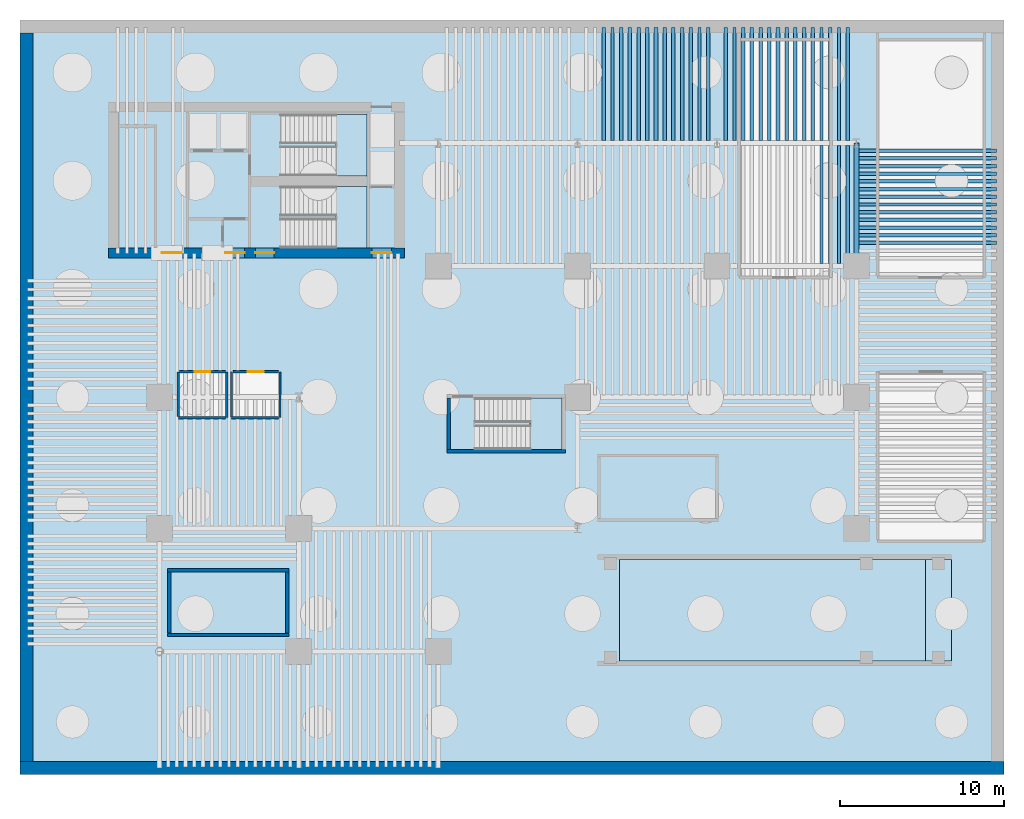
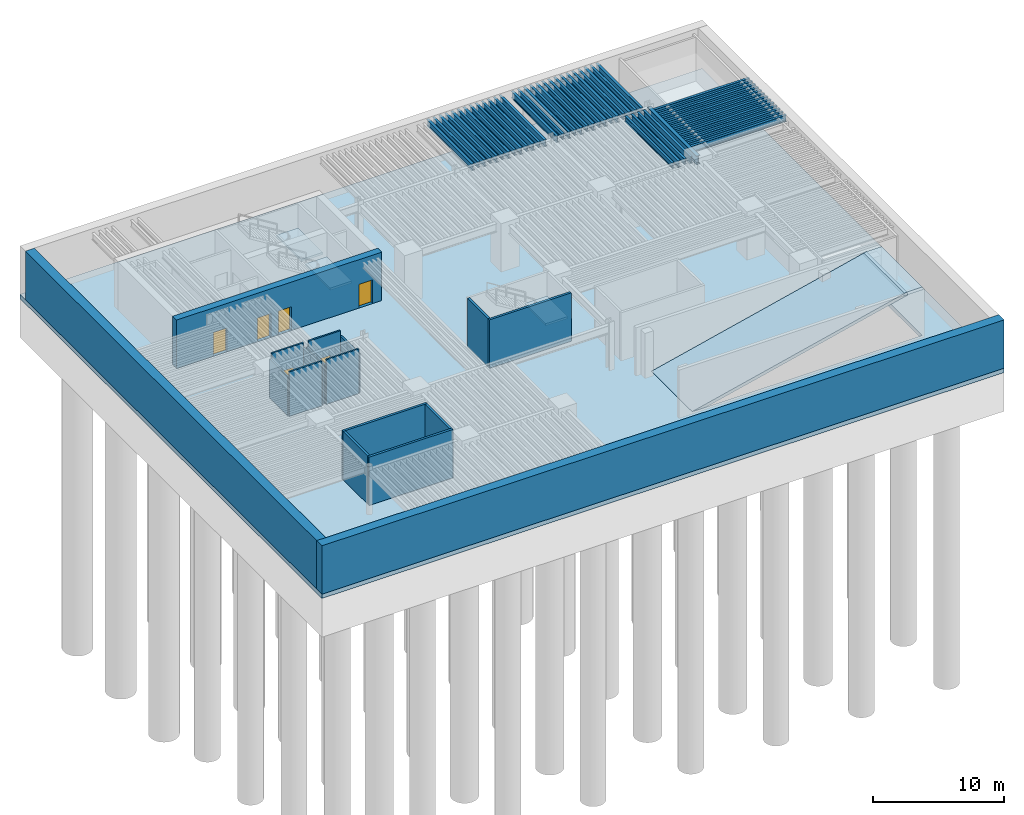
# One storey, part 4 of 11: 46 beams, 17 walls, 6 doors, 6 slabs, 6 openings, 3 elements without a shape of their own.
"""IFC4 building model written with IfcOpenShell, lengths in metres."""

from ifc_helpers import new_model, si_unit, direction, frame, frame_2d, origin, origin_2d, place, context, subcontext, project, spatial, polyline, rectangle, i_section, outline, extrude, material, layer, layer_set, material_profile, profile_set, type_object, element, fill, aggregate, save


model = new_model("IFC4")

# Units and contexts
model_context = context("Model", 3, precision=1e-05, world=origin(), true_north=direction((0.0, 1.0)))
body_context = subcontext(model_context, "Body", "Model", "MODEL_VIEW")
ifc_project = project(units=[si_unit("LENGTHUNIT", "METRE"), si_unit("AREAUNIT", "SQUARE_METRE"), si_unit("VOLUMEUNIT", "CUBIC_METRE"), si_unit("PLANEANGLEUNIT", "RADIAN"), si_unit("MASSUNIT", "GRAM", prefix="KILO")], contexts=[model_context])

# Site, building, storey
site_placement = place(None, origin())
site = spatial("IfcSite", under=ifc_project, at=site_placement, CompositionType="ELEMENT")
building_placement = place(site_placement, origin())
building = spatial("IfcBuilding", under=site, at=building_placement, Name="Caeloran Harvest Quay", CompositionType="ELEMENT")
storey_placement = place(building_placement, frame((0.0, 0.0, -18.0)))
storey = spatial("IfcBuildingStorey", under=building, at=storey_placement, Name="B04", CompositionType="ELEMENT", Elevation=-18.0)

# Beams
ifc_material_1 = material(Name="Steel S355J2", Category="steel")
ifc_material_profile_1 = material_profile(ifc_material_1, i_section(OverallWidth=0.300048828125, OverallDepth=0.800048828125, WebThickness=0.017578125, FlangeThickness=0.032958984375, FilletRadius=0.030029296875, at=origin_2d()), Name="HE 800 B")
ifc_profile_set_1 = profile_set([ifc_material_profile_1], Name="Steel S355J2")
beam_type_1 = type_object("IfcBeamType", Name="BM-PG-1-HE_800_B", PredefinedType="BEAM", material=ifc_profile_set_1)
beam_placement = place(storey_placement, frame((51.0, 31.0, 3.735107421875), z_axis=(0.0, 1.0, 0.0), x_axis=(-1.0, 0.0, 0.0)))
element("IfcBeam", 1, at=beam_placement, inside=storey, type_object=beam_type_1, Name="B04 Primary North-South Girder X=51.0", PredefinedType="BEAM", context=body_context, shape_type="SweptSolid", body=[
    extrude(i_section(OverallWidth=0.300048828125, OverallDepth=0.800048828125, WebThickness=0.017578125, FlangeThickness=0.032958984375, FilletRadius=0.030029296875, at=origin_2d()), origin(), (0.0, 0.0, 1.0), 7.5),
])
ifc_material_profile_2 = material_profile(ifc_material_1, i_section(OverallWidth=0.219970703125, OverallDepth=0.60009765625, WebThickness=0.011962890625, FlangeThickness=0.01904296875, FilletRadius=0.02392578125, at=origin_2d()), Name="IPE 600")
ifc_profile_set_2 = profile_set([ifc_material_profile_2], Name="Steel S355J2")
beam_type_2 = type_object("IfcBeamType", Name="BM-SB-1-IPE_600", PredefinedType="JOIST", material=ifc_profile_set_2)
for number, where, z_axis, x_axis, name in (
    (2, (35.59375, 38.64501953125, 3.8349609375), (0.0, 1.0, 0.0), (-1.0, 0.0, 0.0), "B04 Secondary Composite Joist"),
    (3, (36.65625, 38.64501953125, 3.8349609375), (0.0, 1.0, 0.0), (-1.0, 0.0, 0.0), "B04 Secondary Composite Joist"),
    (4, (37.71875, 38.64501953125, 3.8349609375), (0.0, 1.0, 0.0), (-1.0, 0.0, 0.0), "B04 Secondary Composite Joist"),
    (5, (38.78125, 38.64501953125, 3.8349609375), (0.0, 1.0, 0.0), (-1.0, 0.0, 0.0), "B04 Secondary Composite Joist"),
    (6, (39.84375, 38.64501953125, 3.8349609375), (0.0, 1.0, 0.0), (-1.0, 0.0, 0.0), "B04 Secondary Composite Joist"),
    (7, (40.90625, 38.64501953125, 3.8349609375), (0.0, 1.0, 0.0), (-1.0, 0.0, 0.0), "B04 Secondary Composite Joist"),
    (8, (41.96875, 38.64501953125, 3.8349609375), (0.0, 1.0, 0.0), (-1.0, 0.0, 0.0), "B04 Secondary Composite Joist"),
    (9, (43.03125, 38.64501953125, 3.8349609375), (0.0, 1.0, 0.0), (-1.0, 0.0, 0.0), "B04 Secondary Composite Joist"),
    (10, (44.09375, 38.64501953125, 3.8349609375), (0.0, 1.0, 0.0), (-1.0, 0.0, 0.0), "B04 Secondary Composite Joist"),
    (11, (45.15625, 38.64501953125, 3.8349609375), (0.0, 1.0, 0.0), (-1.0, 0.0, 0.0), "B04 Secondary Composite Joist"),
    (12, (46.21875, 38.64501953125, 3.8349609375), (0.0, 1.0, 0.0), (-1.0, 0.0, 0.0), "B04 Secondary Composite Joist"),
    (13, (47.28125, 38.64501953125, 3.8349609375), (0.0, 1.0, 0.0), (-1.0, 0.0, 0.0), "B04 Secondary Composite Joist"),
    (14, (48.34375, 38.64501953125, 3.8349609375), (0.0, 1.0, 0.0), (-1.0, 0.0, 0.0), "B04 Secondary Composite Joist"),
    (15, (49.40625, 38.64501953125, 3.8349609375), (0.0, 1.0, 0.0), (-1.0, 0.0, 0.0), "B04 Secondary Composite Joist"),
    (16, (50.46875, 38.64501953125, 3.8349609375), (0.0, 1.0, 0.0), (-1.0, 0.0, 0.0), "B04 Secondary Composite Joist"),
):
    element("IfcBeam", number, at=place(storey_placement, frame(where, z_axis=z_axis, x_axis=x_axis)), inside=storey, type_object=beam_type_2, Name=name, PredefinedType="JOIST", context=body_context, shape_type="SweptSolid", body=[
        extrude(i_section(OverallWidth=0.219970703125, OverallDepth=0.60009765625, WebThickness=0.011962890625, FlangeThickness=0.01904296875, FilletRadius=0.02392578125, at=origin_2d()), origin(), (0.0, 0.0, 1.0), 6.905029296875),
    ])
for number, where, z_axis, x_axis, name in (
    (17, (49.40625, 31.14501953125, 3.8349609375), (0.0, 1.0, 0.0), (-1.0, 0.0, 0.0), "B04 Secondary Composite Joist"),
    (18, (50.46875, 31.14501953125, 3.8349609375), (0.0, 1.0, 0.0), (-1.0, 0.0, 0.0), "B04 Secondary Composite Joist"),
):
    element("IfcBeam", number, at=place(storey_placement, frame(where, z_axis=z_axis, x_axis=x_axis)), inside=storey, type_object=beam_type_2, Name=name, PredefinedType="JOIST", context=body_context, shape_type="SweptSolid", body=[
        extrude(i_section(OverallWidth=0.219970703125, OverallDepth=0.60009765625, WebThickness=0.011962890625, FlangeThickness=0.01904296875, FilletRadius=0.02392578125, at=origin_2d()), origin(), (0.0, 0.0, 1.0), 7.2099609375),
    ])
for number, where, z_axis, x_axis, name in (
    (19, (51.14501953125, 32.40625, 3.8349609375), (1.0, 0.0, 0.0), (0.0, 1.0, 0.0), "B04 Secondary East-West Composite Joist"),
    (20, (51.14501953125, 33.34375, 3.8349609375), (1.0, 0.0, 0.0), (0.0, 1.0, 0.0), "B04 Secondary East-West Composite Joist"),
    (21, (51.14501953125, 34.28125, 3.8349609375), (1.0, 0.0, 0.0), (0.0, 1.0, 0.0), "B04 Secondary East-West Composite Joist"),
    (22, (51.14501953125, 35.21875, 3.8349609375), (1.0, 0.0, 0.0), (0.0, 1.0, 0.0), "B04 Secondary East-West Composite Joist"),
    (23, (51.14501953125, 36.15625, 3.8349609375), (1.0, 0.0, 0.0), (0.0, 1.0, 0.0), "B04 Secondary East-West Composite Joist"),
    (24, (51.14501953125, 37.09375, 3.8349609375), (1.0, 0.0, 0.0), (0.0, 1.0, 0.0), "B04 Secondary East-West Composite Joist"),
    (25, (51.14501953125, 38.03125, 3.8349609375), (1.0, 0.0, 0.0), (0.0, 1.0, 0.0), "B04 Secondary East-West Composite Joist"),
):
    element("IfcBeam", number, at=place(storey_placement, frame(where, z_axis=z_axis, x_axis=x_axis)), inside=storey, type_object=beam_type_2, Name=name, PredefinedType="JOIST", context=body_context, shape_type="SweptSolid", body=[
        extrude(i_section(OverallWidth=0.219970703125, OverallDepth=0.60009765625, WebThickness=0.011962890625, FlangeThickness=0.01904296875, FilletRadius=0.02392578125, at=origin_2d()), origin(), (0.0, 0.0, 1.0), 8.405029296875),
    ])
ifc_material_profile_3 = material_profile(ifc_material_1, i_section(OverallWidth=0.199951171875, OverallDepth=0.5, WebThickness=0.01025390625, FlangeThickness=0.01611328125, FilletRadius=0.02099609375, at=origin_2d()), Name="IPE 500")
ifc_profile_set_3 = profile_set([ifc_material_profile_3], Name="Steel S355J2")
beam_type_3 = type_object("IfcBeamType", Name="BM-SB-2-IPE_500", PredefinedType="JOIST", material=ifc_profile_set_3)
for number, where, z_axis, x_axis, name in (
    (26, (36.125, 38.64501953125, 3.885009765625), (0.0, 1.0, 0.0), (-1.0, 0.0, 0.0), "B04 Secondary Composite Joist"),
    (27, (37.1875, 38.64501953125, 3.885009765625), (0.0, 1.0, 0.0), (-1.0, 0.0, 0.0), "B04 Secondary Composite Joist"),
    (28, (38.25, 38.64501953125, 3.885009765625), (0.0, 1.0, 0.0), (-1.0, 0.0, 0.0), "B04 Secondary Composite Joist"),
    (29, (39.3125, 38.64501953125, 3.885009765625), (0.0, 1.0, 0.0), (-1.0, 0.0, 0.0), "B04 Secondary Composite Joist"),
    (30, (40.375, 38.64501953125, 3.885009765625), (0.0, 1.0, 0.0), (-1.0, 0.0, 0.0), "B04 Secondary Composite Joist"),
    (31, (41.4375, 38.64501953125, 3.885009765625), (0.0, 1.0, 0.0), (-1.0, 0.0, 0.0), "B04 Secondary Composite Joist"),
    (32, (43.5625, 38.64501953125, 3.885009765625), (0.0, 1.0, 0.0), (-1.0, 0.0, 0.0), "B04 Secondary Composite Joist"),
    (33, (44.625, 38.64501953125, 3.885009765625), (0.0, 1.0, 0.0), (-1.0, 0.0, 0.0), "B04 Secondary Composite Joist"),
    (34, (45.6875, 38.64501953125, 3.885009765625), (0.0, 1.0, 0.0), (-1.0, 0.0, 0.0), "B04 Secondary Composite Joist"),
    (35, (46.75, 38.64501953125, 3.885009765625), (0.0, 1.0, 0.0), (-1.0, 0.0, 0.0), "B04 Secondary Composite Joist"),
    (36, (47.8125, 38.64501953125, 3.885009765625), (0.0, 1.0, 0.0), (-1.0, 0.0, 0.0), "B04 Secondary Composite Joist"),
    (37, (48.875, 38.64501953125, 3.885009765625), (0.0, 1.0, 0.0), (-1.0, 0.0, 0.0), "B04 Secondary Composite Joist"),
    (38, (49.9375, 38.64501953125, 3.885009765625), (0.0, 1.0, 0.0), (-1.0, 0.0, 0.0), "B04 Secondary Composite Joist"),
):
    element("IfcBeam", number, at=place(storey_placement, frame(where, z_axis=z_axis, x_axis=x_axis)), inside=storey, type_object=beam_type_3, Name=name, PredefinedType="JOIST", context=body_context, shape_type="SweptSolid", body=[
        extrude(i_section(OverallWidth=0.199951171875, OverallDepth=0.5, WebThickness=0.01025390625, FlangeThickness=0.01611328125, FilletRadius=0.02099609375, at=origin_2d()), origin(), (0.0, 0.0, 1.0), 6.905029296875),
    ])
for number, where, z_axis, x_axis, name in (
    (39, (48.875, 31.14501953125, 3.885009765625), (0.0, 1.0, 0.0), (-1.0, 0.0, 0.0), "B04 Secondary Composite Joist"),
    (40, (49.9375, 31.14501953125, 3.885009765625), (0.0, 1.0, 0.0), (-1.0, 0.0, 0.0), "B04 Secondary Composite Joist"),
):
    element("IfcBeam", number, at=place(storey_placement, frame(where, z_axis=z_axis, x_axis=x_axis)), inside=storey, type_object=beam_type_3, Name=name, PredefinedType="JOIST", context=body_context, shape_type="SweptSolid", body=[
        extrude(i_section(OverallWidth=0.199951171875, OverallDepth=0.5, WebThickness=0.01025390625, FlangeThickness=0.01611328125, FilletRadius=0.02099609375, at=origin_2d()), origin(), (0.0, 0.0, 1.0), 7.2099609375),
    ])
for number, where, z_axis, x_axis, name in (
    (41, (51.14501953125, 32.875, 3.885009765625), (1.0, 0.0, 0.0), (0.0, 1.0, 0.0), "B04 Secondary East-West Composite Joist"),
    (42, (51.14501953125, 33.8125, 3.885009765625), (1.0, 0.0, 0.0), (0.0, 1.0, 0.0), "B04 Secondary East-West Composite Joist"),
    (43, (51.14501953125, 34.75, 3.885009765625), (1.0, 0.0, 0.0), (0.0, 1.0, 0.0), "B04 Secondary East-West Composite Joist"),
    (44, (51.14501953125, 35.6875, 3.885009765625), (1.0, 0.0, 0.0), (0.0, 1.0, 0.0), "B04 Secondary East-West Composite Joist"),
    (45, (51.14501953125, 36.625, 3.885009765625), (1.0, 0.0, 0.0), (0.0, 1.0, 0.0), "B04 Secondary East-West Composite Joist"),
    (46, (51.14501953125, 37.5625, 3.885009765625), (1.0, 0.0, 0.0), (0.0, 1.0, 0.0), "B04 Secondary East-West Composite Joist"),
):
    element("IfcBeam", number, at=place(storey_placement, frame(where, z_axis=z_axis, x_axis=x_axis)), inside=storey, type_object=beam_type_3, Name=name, PredefinedType="JOIST", context=body_context, shape_type="SweptSolid", body=[
        extrude(i_section(OverallWidth=0.199951171875, OverallDepth=0.5, WebThickness=0.01025390625, FlangeThickness=0.01611328125, FilletRadius=0.02099609375, at=origin_2d()), origin(), (0.0, 0.0, 1.0), 8.405029296875),
    ])

# Slabs
ifc_material_2 = material(Name="Concrete C50/60", Category="concrete")
ifc_layer_1 = layer(ifc_material_2, 0.39990234375, Name="Concrete C50/60")
ifc_layer_set_1 = layer_set([ifc_layer_1], Name="Concrete C50/60")
slab_type_1 = type_object("IfcSlabType", Name="SLAB-BS-400", PredefinedType="BASESLAB", material=ifc_layer_set_1)
slab_1_placement = place(storey_placement, frame((0.0, 0.0, -0.39990234375)))
element("IfcSlab", 47, at=slab_1_placement, inside=storey, type_object=slab_type_1, Name="B04 Structural Floor Slab", PredefinedType="BASESLAB", context=body_context, shape_type="SweptSolid", body=[
    extrude(outline(polyline([(0.0, 0.0), (60.0, 0.0), (60.0, 46.0), (0.0, 46.0), (0.0, 0.0)]), holes=[polyline([(36.550048828125, 6.89990234375), (36.550048828125, 13.10009765625), (56.800048828125, 13.10009765625), (56.800048828125, 6.89990234375), (36.550048828125, 6.89990234375)])]), origin(), (0.0, 0.0, 1.0), 0.39990234375),
])
ifc_layer_2 = layer(ifc_material_2, 0.300048828125, Name="Concrete C50/60")
ifc_layer_set_2 = layer_set([ifc_layer_2], Name="Concrete C50/60")
slab_type_2 = type_object("IfcSlabType", Name="SLAB-RL-300", PredefinedType="LANDING", material=ifc_layer_set_2)
slab_2_placement = place(storey_placement, frame((0.0, 0.0, 4.199951171875)))
element("IfcSlab", 48, at=slab_2_placement, inside=storey, type_object=slab_type_2, Name="Car Park Vehicle Ramp VR-1 Transition Landing Slab B04", PredefinedType="LANDING", context=body_context, shape_type="SweptSolid", body=[
    extrude(outline(polyline([(55.199951171875, 6.89990234375), (56.800048828125, 6.89990234375), (56.800048828125, 13.10009765625), (55.199951171875, 13.10009765625), (55.199951171875, 6.89990234375)])), origin(), (0.0, 0.0, 1.0), 0.300048828125),
])
ifc_layer_3 = layer(ifc_material_2, 0.300048828125, Name="Concrete C50/60")
ifc_layer_set_3 = layer_set([ifc_layer_3], Name="Concrete C50/60")
slab_type_3 = type_object("IfcSlabType", Name="SLAB-VR-300", PredefinedType="FLOOR", material=ifc_layer_set_3)
slab_3_placement = place(storey_placement, frame((36.550048828125, 6.89990234375, 0.0), z_axis=(-0.231621659889, 0.0, 0.972805945022), x_axis=(0.972805945022, 0.0, 0.231621659889)))
element("IfcSlab", 49, at=slab_3_placement, inside=storey, type_object=slab_type_3, Name="Car Park Vehicle Ramp Structural Slab VR-1 (B04)", PredefinedType="FLOOR", context=body_context, shape_type="SweptSolid", body=[
    extrude(outline(polyline([(0.0, 0.0), (19.428234829836875, 0.0), (19.428234829836875, 6.2001953125), (0.0, 6.2001953125), (0.0, 0.0)])), origin(), (0.0, 0.0, -1.0), 0.300048828125),
])

# Stair, slab
stair_type_1 = type_object("IfcStairType", Name="STAIR-STC-180", PredefinedType="HALF_TURN_STAIR", material=ifc_material_2)
stair_1_placement = place(storey_placement, origin())
stair_1 = element("IfcStair", 50, at=stair_1_placement, inside=storey, type_object=stair_type_1, Name="B04 Core Pressurized Exit Stair ST-C1", PredefinedType="HALF_TURN_STAIR")
ifc_layer_4 = layer(ifc_material_2, 0.219970703125, Name="Concrete C50/60")
ifc_layer_set_4 = layer_set([ifc_layer_4], Name="Concrete C50/60")
slab_type_4 = type_object("IfcSlabType", Name="STAIR-LANDING-220", PredefinedType="LANDING", material=ifc_layer_set_4)
slab_4_placement = place(storey_placement, frame((0.0, 0.0, 2.050048828125)))
slab_4 = element("IfcSlab", 51, at=slab_4_placement, type_object=slab_type_4, Name="ST-C1 landing 1", PredefinedType="LANDING", context=body_context, shape_type="SweptSolid", body=[
    extrude(outline(polyline([(19.260009765625, 36.5), (21.14990234375, 36.5), (21.14990234375, 40.25), (19.260009765625, 40.25), (19.260009765625, 36.5)])), origin(), (0.0, 0.0, 1.0), 0.199951171875),
])
aggregate(stair_1, [slab_4])

stair_2_placement = place(storey_placement, origin())
stair_2 = element("IfcStair", 52, at=stair_2_placement, inside=storey, type_object=stair_type_1, Name="B04 Core Pressurized Exit Stair ST-C2", PredefinedType="HALF_TURN_STAIR")
slab_5_placement = place(storey_placement, frame((0.0, 0.0, 2.050048828125)))
slab_5 = element("IfcSlab", 53, at=slab_5_placement, type_object=slab_type_4, Name="ST-C2 landing 1", PredefinedType="LANDING", context=body_context, shape_type="SweptSolid", body=[
    extrude(outline(polyline([(19.260009765625, 32.10009765625), (21.14990234375, 32.10009765625), (21.14990234375, 35.85009765625), (19.260009765625, 35.85009765625), (19.260009765625, 32.10009765625)])), origin(), (0.0, 0.0, 1.0), 0.199951171875),
])
aggregate(stair_2, [slab_5])

stair_type_2 = type_object("IfcStairType", Name="STAIR-STW-150", PredefinedType="HALF_TURN_STAIR", material=ifc_material_2)
stair_3_placement = place(storey_placement, origin())
stair_3 = element("IfcStair", 54, at=stair_3_placement, inside=storey, type_object=stair_type_2, Name="B04 East Wing Protected Exit Stair ST-W1", PredefinedType="HALF_TURN_STAIR")
slab_6_placement = place(storey_placement, frame((0.0, 0.0, 2.050048828125)))
slab_6 = element("IfcSlab", 55, at=slab_6_placement, type_object=slab_type_4, Name="ST-W1 landing 1", PredefinedType="LANDING", context=body_context, shape_type="SweptSolid", body=[
    extrude(outline(polyline([(31.110107421875, 19.800048828125), (33.050048828125, 19.800048828125), (33.050048828125, 22.949951171875), (31.110107421875, 22.949951171875), (31.110107421875, 19.800048828125)])), origin(), (0.0, 0.0, 1.0), 0.199951171875),
])
aggregate(stair_3, [slab_6])

# Walls
ifc_material_3 = material(Name="Moisture-Resistant Cement-Board Sanitary Partition", Category="gypsum")
ifc_layer_5 = layer(ifc_material_3, 0.139892578125, Name="Moisture-Resistant Cement-Board Sanitary Partition")
ifc_layer_set_5 = layer_set([ifc_layer_5], Name="Moisture-Resistant Cement-Board Sanitary Partition")
wall_type_1 = type_object("IfcWallType", Name="INT-WALL-PW-140", PredefinedType="PARTITIONING", material=ifc_layer_set_5)
wall_1_placement = place(storey_placement, frame((12.60009765625, 24.550048828125, 0.0), z_axis=(0.0, 0.0, 1.0), x_axis=(0.0, -1.0, 0.0)))
element("IfcWall", 56, at=wall_1_placement, inside=storey, type_object=wall_type_1, Name="B04 Car Park Male Washroom WC Partition Wall", PredefinedType="PARTITIONING", context=body_context, shape_type="SweptSolid", body=[
    extrude(rectangle(XDim=2.800048828125, YDim=0.139892578125, at=frame_2d((1.39990234375, 0.0))), origin(), (0.0, 0.0, 1.0), 3.6201171875),
])
wall_2_placement = place(storey_placement, frame((12.52490234375, 21.75, 0.0), z_axis=(0.0, 0.0, 1.0), x_axis=(-1.0, 0.0, 0.0)))
element("IfcWall", 57, at=wall_2_placement, inside=storey, type_object=wall_type_1, Name="B04 Car Park Male Washroom WC Partition Wall", PredefinedType="PARTITIONING", context=body_context, shape_type="SweptSolid", body=[
    extrude(rectangle(XDim=2.875, YDim=0.139892578125, at=frame_2d((1.4375, 0.0))), origin(), (0.0, 0.0, 1.0), 4.135009765625),
])
wall_3_placement = place(storey_placement, frame((9.64990234375, 21.824951171875, 0.0), z_axis=(0.0, 0.0, 1.0), x_axis=(0.0, 1.0, 0.0)))
element("IfcWall", 58, at=wall_3_placement, inside=storey, type_object=wall_type_1, Name="B04 Car Park Male Washroom WC Partition Wall", PredefinedType="PARTITIONING", context=body_context, shape_type="SweptSolid", body=[
    extrude(rectangle(XDim=2.72509765625, YDim=0.139892578125, at=frame_2d((1.362548828125, 0.0))), origin(), (0.0, 0.0, 1.0), 3.6201171875),
])

# Wall, opening, door
wall_4_placement = place(storey_placement, frame((9.72509765625, 24.550048828125, 0.0), z_axis=(0.0, 0.0, 1.0), x_axis=(1.0, 0.0, 0.0)))
wall_4 = element("IfcWall", 59, at=wall_4_placement, inside=storey, type_object=wall_type_1, Name="B04 Car Park Male Washroom WC Partition Wall", PredefinedType="PARTITIONING", context=body_context, shape_type="SweptSolid", body=[
    extrude(rectangle(XDim=2.7998046875, YDim=0.139892578125, at=frame_2d((1.39990234375, 0.0))), origin(), (0.0, 0.0, 1.0), 4.135009765625),
])
opening_1_placement = place(wall_4_placement, frame((0.925048828125, 0.0, 0.0)))
opening_1 = element("IfcOpeningElement", 60, at=opening_1_placement, cuts=wall_4, Name="Opening WC-01", PredefinedType="OPENING", context=body_context, shape_type="SweptSolid", body=[
    extrude(rectangle(XDim=0.949951171875, YDim=2.14990234375, at=frame_2d((0.47509765625, 1.074951171875))), frame((0.0, 0.080078125, 0.0), z_axis=(0.0, -1.0, 0.0), x_axis=(1.0, 0.0, 0.0)), (0.0, 0.0, 1.0), 0.159912109375),
])
ifc_material_4 = material(Name="High-Pressure Laminate Moisture-Resistant Timber", Category="wood")
door_type_1 = type_object("IfcDoorType", Name="INTDOOR-WC-01", OperationType="NOTDEFINED", PredefinedType="DOOR", material=ifc_material_4)
door_1_placement = place(opening_1_placement, origin())
door_1 = element("IfcDoor", 61, at=door_1_placement, inside=storey, type_object=door_type_1, Name="B04 Car Park Male Washroom WC Access Door", OperationType="SINGLE_SWING_LEFT", OverallHeight=2.14990234375, OverallWidth=0.949951171875, PredefinedType="DOOR", context=body_context, shape_type="SweptSolid", body=[
    extrude(rectangle(XDim=0.949951171875, YDim=2.14990234375, at=frame_2d((0.47509765625, 1.074951171875))), frame((0.0, 0.02490234375, 0.0), z_axis=(0.0, -1.0, 0.0), x_axis=(1.0, 0.0, 0.0)), (0.0, 0.0, 1.0), 0.050048828125),
])
fill(opening_1, door_1)

# Walls
wall_5_placement = place(storey_placement, frame((15.85009765625, 24.550048828125, 0.0), z_axis=(0.0, 0.0, 1.0), x_axis=(0.0, -1.0, 0.0)))
element("IfcWall", 62, at=wall_5_placement, inside=storey, type_object=wall_type_1, Name="B04 Accessible Unisex Washroom WC Partition Wall", PredefinedType="PARTITIONING", context=body_context, shape_type="SweptSolid", body=[
    extrude(rectangle(XDim=2.800048828125, YDim=0.139892578125, at=frame_2d((1.39990234375, 0.0))), origin(), (0.0, 0.0, 1.0), 3.6201171875),
])
wall_6_placement = place(storey_placement, frame((15.77490234375, 21.75, 0.0), z_axis=(0.0, 0.0, 1.0), x_axis=(-1.0, 0.0, 0.0)))
element("IfcWall", 63, at=wall_6_placement, inside=storey, type_object=wall_type_1, Name="B04 Accessible Unisex Washroom WC Partition Wall", PredefinedType="PARTITIONING", context=body_context, shape_type="SweptSolid", body=[
    extrude(rectangle(XDim=2.875, YDim=0.139892578125, at=frame_2d((1.4375, 0.0))), origin(), (0.0, 0.0, 1.0), 4.135009765625),
])
wall_7_placement = place(storey_placement, frame((12.89990234375, 21.824951171875, 0.0), z_axis=(0.0, 0.0, 1.0), x_axis=(0.0, 1.0, 0.0)))
element("IfcWall", 64, at=wall_7_placement, inside=storey, type_object=wall_type_1, Name="B04 Accessible Unisex Washroom WC Partition Wall", PredefinedType="PARTITIONING", context=body_context, shape_type="SweptSolid", body=[
    extrude(rectangle(XDim=2.72509765625, YDim=0.139892578125, at=frame_2d((1.362548828125, 0.0))), origin(), (0.0, 0.0, 1.0), 3.6201171875),
])

# Wall, opening, door
wall_8_placement = place(storey_placement, frame((12.97509765625, 24.550048828125, 0.0), z_axis=(0.0, 0.0, 1.0), x_axis=(1.0, 0.0, 0.0)))
wall_8 = element("IfcWall", 65, at=wall_8_placement, inside=storey, type_object=wall_type_1, Name="B04 Accessible Unisex Washroom WC Partition Wall", PredefinedType="PARTITIONING", context=body_context, shape_type="SweptSolid", body=[
    extrude(rectangle(XDim=2.7998046875, YDim=0.139892578125, at=frame_2d((1.39990234375, 0.0))), origin(), (0.0, 0.0, 1.0), 4.135009765625),
])
opening_2_placement = place(wall_8_placement, frame((0.925048828125, 0.0, 0.0)))
opening_2 = element("IfcOpeningElement", 66, at=opening_2_placement, cuts=wall_8, Name="Opening WC-01", PredefinedType="OPENING", context=body_context, shape_type="SweptSolid", body=[
    extrude(rectangle(XDim=0.949951171875, YDim=2.14990234375, at=frame_2d((0.47509765625, 1.074951171875))), frame((0.0, 0.080078125, 0.0), z_axis=(0.0, -1.0, 0.0), x_axis=(1.0, 0.0, 0.0)), (0.0, 0.0, 1.0), 0.159912109375),
])
door_2_placement = place(opening_2_placement, origin())
door_2 = element("IfcDoor", 67, at=door_2_placement, inside=storey, type_object=door_type_1, Name="B04 Accessible Unisex Washroom WC Access Door", OperationType="SINGLE_SWING_RIGHT", OverallHeight=2.14990234375, OverallWidth=0.949951171875, PredefinedType="DOOR", context=body_context, shape_type="SweptSolid", body=[
    extrude(rectangle(XDim=0.949951171875, YDim=2.14990234375, at=frame_2d((0.47509765625, 1.074951171875))), frame((0.0, 0.02490234375, 0.0), z_axis=(0.0, -1.0, 0.0), x_axis=(1.0, 0.0, 0.0)), (0.0, 0.0, 1.0), 0.050048828125),
])
fill(opening_2, door_2)

# Wall, openings, doors
ifc_material_5 = material(Name="Concrete C80/95", Category="concrete")
ifc_layer_6 = layer(ifc_material_5, 0.60009765625, Name="Concrete C80/95")
ifc_layer_set_6 = layer_set([ifc_layer_6], Name="Concrete C80/95")
wall_type_2 = type_object("IfcWallType", Name="STR-WALL-CW-600", PredefinedType="SHEAR", material=ifc_layer_set_6)
wall_9_placement = place(storey_placement, frame((5.39990234375, 31.800048828125, 0.0), z_axis=(0.0, 0.0, 1.0), x_axis=(1.0, 0.0, 0.0)))
wall_9 = element("IfcWall", 68, at=wall_9_placement, inside=storey, type_object=wall_type_2, Name="B04 Rear Core Shear Wall S", PredefinedType="SHEAR", context=body_context, shape_type="SweptSolid", body=[
    extrude(rectangle(XDim=18.050048828125, YDim=0.60009765625, at=frame_2d((9.02490234375, 0.0))), origin(), (0.0, 0.0, 1.0), 4.5),
])
opening_3_placement = place(wall_9_placement, frame((3.25, 0.0, 0.0)))
opening_3 = element("IfcOpeningElement", 69, at=opening_3_placement, cuts=wall_9, Name="Opening FD-01", PredefinedType="OPENING", context=body_context, shape_type="SweptSolid", body=[
    extrude(rectangle(XDim=1.199951171875, YDim=2.199951171875, at=frame_2d((0.60009765625, 1.10009765625))), frame((0.0, 0.31005859375, 0.0), z_axis=(0.0, -1.0, 0.0), x_axis=(1.0, 0.0, 0.0)), (0.0, 0.0, 1.0), 0.6201171875),
])
opening_4_placement = place(wall_9_placement, frame((7.10009765625, 0.0, 0.0)))
opening_4 = element("IfcOpeningElement", 70, at=opening_4_placement, cuts=wall_9, Name="Opening FD-01", PredefinedType="OPENING", context=body_context, shape_type="SweptSolid", body=[
    extrude(rectangle(XDim=1.199951171875, YDim=2.199951171875, at=frame_2d((0.60009765625, 1.10009765625))), frame((0.0, 0.31005859375, 0.0), z_axis=(0.0, -1.0, 0.0), x_axis=(1.0, 0.0, 0.0)), (0.0, 0.0, 1.0), 0.6201171875),
])
opening_5_placement = place(wall_9_placement, frame((8.949951171875, 0.0, 0.0)))
opening_5 = element("IfcOpeningElement", 71, at=opening_5_placement, cuts=wall_9, Name="Opening SD-01", PredefinedType="OPENING", context=body_context, shape_type="SweptSolid", body=[
    extrude(rectangle(XDim=1.14990234375, YDim=2.199951171875, at=frame_2d((0.574951171875, 1.10009765625))), frame((0.0, 0.31005859375, 0.0), z_axis=(0.0, -1.0, 0.0), x_axis=(1.0, 0.0, 0.0)), (0.0, 0.0, 1.0), 0.6201171875),
])
opening_6_placement = place(wall_9_placement, frame((16.050048828125, 0.0, 0.0)))
opening_6 = element("IfcOpeningElement", 72, at=opening_6_placement, cuts=wall_9, Name="Opening FD-01", PredefinedType="OPENING", context=body_context, shape_type="SweptSolid", body=[
    extrude(rectangle(XDim=1.199951171875, YDim=2.199951171875, at=frame_2d((0.60009765625, 1.10009765625))), frame((0.0, 0.31005859375, 0.0), z_axis=(0.0, -1.0, 0.0), x_axis=(1.0, 0.0, 0.0)), (0.0, 0.0, 1.0), 0.6201171875),
])
ifc_material_6 = material(Name="Steel", Category="steel")
door_type_2 = type_object("IfcDoorType", Name="INTDOOR-FD-01", OperationType="NOTDEFINED", PredefinedType="DOOR", material=ifc_material_6)
door_3_placement = place(opening_3_placement, origin())
door_3 = element("IfcDoor", 73, at=door_3_placement, inside=storey, type_object=door_type_2, Name="B04 High-Rise Lift Lobby Fire Door", OperationType="SINGLE_SWING_LEFT", OverallHeight=2.199951171875, OverallWidth=1.199951171875, PredefinedType="DOOR", context=body_context, shape_type="SweptSolid", body=[
    extrude(rectangle(XDim=1.199951171875, YDim=2.199951171875, at=frame_2d((0.60009765625, 1.10009765625))), frame((0.0, 0.02490234375, 0.0), z_axis=(0.0, -1.0, 0.0), x_axis=(1.0, 0.0, 0.0)), (0.0, 0.0, 1.0), 0.050048828125),
])
fill(opening_3, door_3)
door_4_placement = place(opening_4_placement, origin())
door_4 = element("IfcDoor", 74, at=door_4_placement, inside=storey, type_object=door_type_2, Name="B04 Firefighting Lobby Vestibule Fire Door", OperationType="SINGLE_SWING_RIGHT", OverallHeight=2.199951171875, OverallWidth=1.199951171875, PredefinedType="DOOR", context=body_context, shape_type="SweptSolid", body=[
    extrude(rectangle(XDim=1.199951171875, YDim=2.199951171875, at=frame_2d((0.60009765625, 1.10009765625))), frame((0.0, 0.02490234375, 0.0), z_axis=(0.0, -1.0, 0.0), x_axis=(1.0, 0.0, 0.0)), (0.0, 0.0, 1.0), 0.050048828125),
])
fill(opening_4, door_4)
door_5_placement = place(opening_6_placement, origin())
door_5 = element("IfcDoor", 75, at=door_5_placement, inside=storey, type_object=door_type_2, Name="B04 Service Lift Lobby Fire Door", OperationType="SINGLE_SWING_RIGHT", OverallHeight=2.199951171875, OverallWidth=1.199951171875, PredefinedType="DOOR", context=body_context, shape_type="SweptSolid", body=[
    extrude(rectangle(XDim=1.199951171875, YDim=2.199951171875, at=frame_2d((0.60009765625, 1.10009765625))), frame((0.0, 0.02490234375, 0.0), z_axis=(0.0, -1.0, 0.0), x_axis=(1.0, 0.0, 0.0)), (0.0, 0.0, 1.0), 0.050048828125),
])
fill(opening_6, door_5)
door_type_3 = type_object("IfcDoorType", Name="INTDOOR-SD-01", OperationType="NOTDEFINED", PredefinedType="DOOR", material=ifc_material_6)
door_6_placement = place(opening_5_placement, origin())
door_6 = element("IfcDoor", 76, at=door_6_placement, inside=storey, type_object=door_type_3, Name="B04 Protected Stair ST-C2 Exit Door", OperationType="SINGLE_SWING_LEFT", OverallHeight=2.199951171875, OverallWidth=1.14990234375, PredefinedType="DOOR", context=body_context, shape_type="SweptSolid", body=[
    extrude(rectangle(XDim=1.14990234375, YDim=2.199951171875, at=frame_2d((0.574951171875, 1.10009765625))), frame((0.0, 0.02490234375, 0.0), z_axis=(0.0, -1.0, 0.0), x_axis=(1.0, 0.0, 0.0)), (0.0, 0.0, 1.0), 0.050048828125),
])
fill(opening_5, door_6)

# Walls
ifc_material_7 = material(Name="Concrete C60/75", Category="concrete")
ifc_layer_7 = layer(ifc_material_7, 0.800048828125, Name="Concrete C60/75")
ifc_layer_set_7 = layer_set([ifc_layer_7], Name="Concrete C60/75")
wall_type_3 = type_object("IfcWallType", Name="STR-WALL-DW-800", PredefinedType="USERDEFINED", material=ifc_layer_set_7)
wall_10_placement = place(storey_placement, frame((0.0, 0.39990234375, 0.0), z_axis=(0.0, 0.0, 1.0), x_axis=(1.0, 0.0, 0.0)))
element("IfcWall", 77, at=wall_10_placement, inside=storey, type_object=wall_type_3, Name="B04 Basement Diaphragm Retaining Wall S 800 mm", ObjectType="RETAININGWALL", PredefinedType="USERDEFINED", context=body_context, shape_type="SweptSolid", body=[
    extrude(rectangle(XDim=60.0, YDim=0.800048828125, at=frame_2d((30.0, 0.0))), origin(), (0.0, 0.0, 1.0), 4.5),
])
wall_11_placement = place(storey_placement, frame((0.39990234375, 0.800048828125, 0.0), z_axis=(0.0, 0.0, 1.0), x_axis=(0.0, 1.0, 0.0)))
element("IfcWall", 78, at=wall_11_placement, inside=storey, type_object=wall_type_3, Name="B04 Basement Diaphragm Retaining Wall W 800 mm", ObjectType="RETAININGWALL", PredefinedType="USERDEFINED", context=body_context, shape_type="SweptSolid", body=[
    extrude(rectangle(XDim=44.39990234375, YDim=0.800048828125, at=frame_2d((22.199951171875, 0.0))), origin(), (0.0, 0.0, 1.0), 4.5),
])
ifc_layer_8 = layer(ifc_material_7, 0.199951171875, Name="Concrete C60/75")
ifc_layer_set_8 = layer_set([ifc_layer_8], Name="Concrete C60/75")
wall_type_4 = type_object("IfcWallType", Name="STR-WALL-SW-200", PredefinedType="SHEAR", material=ifc_layer_set_8)
wall_12_placement = place(storey_placement, frame((26.050048828125, 19.699951171875, 0.0), z_axis=(0.0, 0.0, 1.0), x_axis=(1.0, 0.0, 0.0)))
element("IfcWall", 79, at=wall_12_placement, inside=storey, type_object=wall_type_4, Name="B04 Stair ST-W1 S RC Shaft Shear Wall", PredefinedType="SHEAR", context=body_context, shape_type="SweptSolid", body=[
    extrude(rectangle(XDim=7.199951171875, YDim=0.199951171875, at=frame_2d((3.60009765625, 0.0))), origin(), (0.0, 0.0, 1.0), 4.5),
])
wall_13_placement = place(storey_placement, frame((26.14990234375, 19.81005859375, 0.0), z_axis=(0.0, 0.0, 1.0), x_axis=(0.0, 1.0, 0.0)))
element("IfcWall", 80, at=wall_13_placement, inside=storey, type_object=wall_type_4, Name="B04 Stair ST-W1 W RC Shaft Shear Wall", PredefinedType="SHEAR", context=body_context, shape_type="SweptSolid", body=[
    extrude(rectangle(XDim=3.1298828125, YDim=0.199951171875, at=frame_2d((1.56494140625, 0.0))), origin(), (0.0, 0.0, 1.0), 4.5),
])
for number, where, z_axis, x_axis, name in (
    (81, (9.0, 8.5, 0.0), (0.0, 0.0, 1.0), (1.0, 0.0, 0.0), "B04 Stair ST-P1 S RC Shaft Shear Wall"),
    (82, (9.0, 12.449951171875, 0.0), (0.0, 0.0, 1.0), (1.0, 0.0, 0.0), "B04 Stair ST-P1 N RC Shaft Shear Wall"),
):
    element("IfcWall", number, at=place(storey_placement, frame(where, z_axis=z_axis, x_axis=x_axis)), inside=storey, type_object=wall_type_4, Name=name, PredefinedType="SHEAR", context=body_context, shape_type="SweptSolid", body=[
        extrude(rectangle(XDim=7.39990234375, YDim=0.199951171875, at=frame_2d((3.699951171875, 0.0))), origin(), (0.0, 0.0, 1.0), 4.5),
    ])
for number, where, z_axis, x_axis, name in (
    (83, (9.10009765625, 8.610107421875, 0.0), (0.0, 0.0, 1.0), (0.0, 1.0, 0.0), "B04 Stair ST-P1 W RC Shaft Shear Wall"),
    (84, (16.300048828125, 8.610107421875, 0.0), (0.0, 0.0, 1.0), (0.0, 1.0, 0.0), "B04 Stair ST-P1 E RC Shaft Shear Wall"),
):
    element("IfcWall", number, at=place(storey_placement, frame(where, z_axis=z_axis, x_axis=x_axis)), inside=storey, type_object=wall_type_4, Name=name, PredefinedType="SHEAR", context=body_context, shape_type="SweptSolid", body=[
        extrude(rectangle(XDim=3.72998046875, YDim=0.199951171875, at=frame_2d((1.864990234375, 0.0))), origin(), (0.0, 0.0, 1.0), 4.5),
    ])

save(model, "model.ifc")
